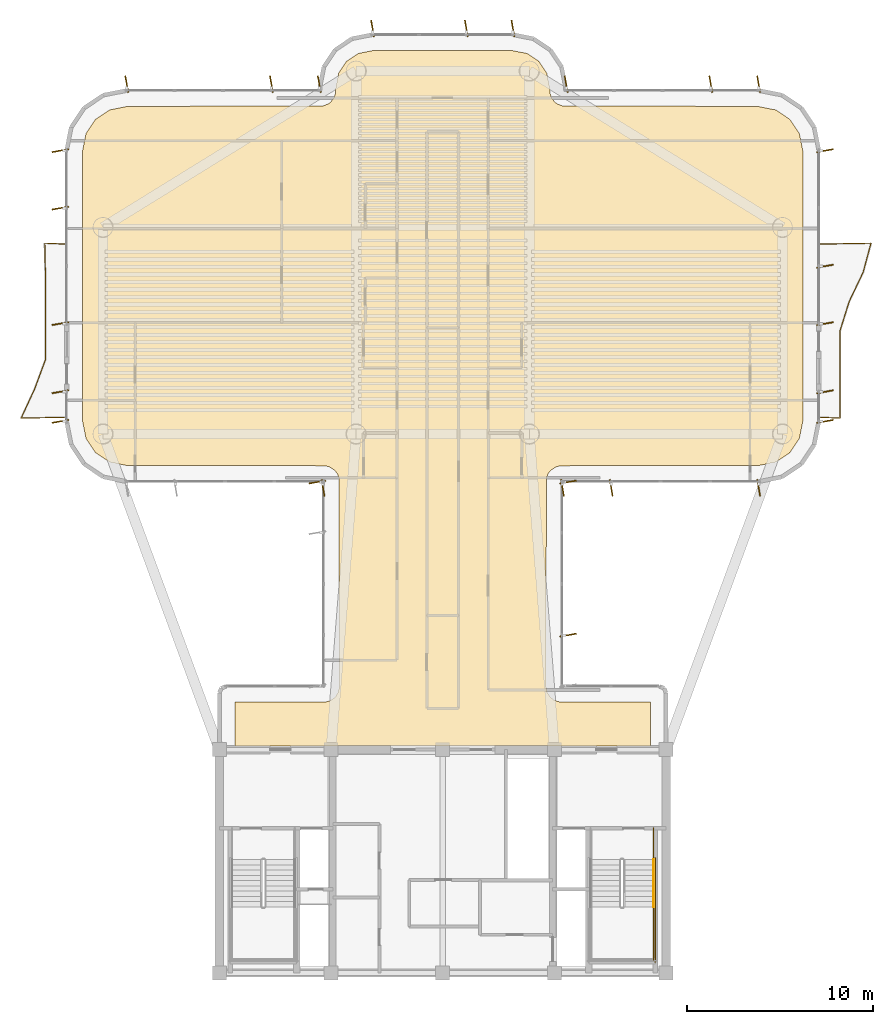
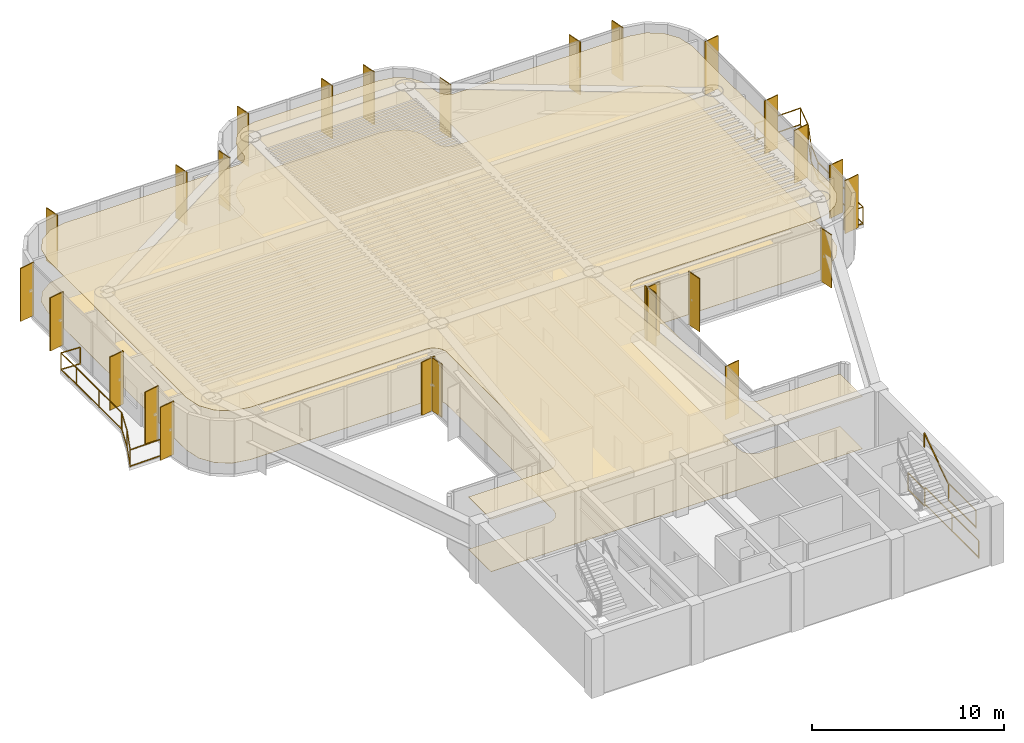
# One storey, part 13 of 13: 26 shading devices, 6 railings, 2 coverings.
"""IFC4 building model written with IfcOpenShell, lengths in metres."""

from ifc_helpers import new_model, si_unit, direction, frame, origin, origin_2d, place, context, subcontext, project, spatial, polyline, rectangle, outline, extrude, source, transform, mapped, material, layer, layer_set, material_profile, profile_set, type_object, element, save


model = new_model("IFC4")

# Units and contexts
model_context = context("Model", 3, precision=1e-05, world=origin(), true_north=direction((0.0, 1.0)))
body_context = subcontext(model_context, "Body", "Model", "MODEL_VIEW")
ifc_project = project(units=[si_unit("LENGTHUNIT", "METRE"), si_unit("AREAUNIT", "SQUARE_METRE"), si_unit("VOLUMEUNIT", "CUBIC_METRE"), si_unit("PLANEANGLEUNIT", "RADIAN"), si_unit("MASSUNIT", "GRAM", prefix="KILO")], contexts=[model_context])

# Site, building, storey
site_placement = place(None, origin())
site = spatial("IfcSite", under=ifc_project, at=site_placement, CompositionType="ELEMENT")
building_placement = place(site_placement, origin())
building = spatial("IfcBuilding", under=site, at=building_placement, Name="Brelvock Crest Care Tower", CompositionType="ELEMENT")
storey_placement = place(building_placement, frame((0.0, 0.0, 209.340087890625)))
storey = spatial("IfcBuildingStorey", under=building, at=storey_placement, Name="L53", CompositionType="ELEMENT", Elevation=209.340087890625)

# Coverings
ifc_material_1 = material(Name="Mineral Fibre Acoustic Ceiling Tile", Category="gypsum")
ifc_layer_1 = layer(ifc_material_1, 0.02490234375, Name="COV-CLG1")
ifc_layer_set_1 = layer_set([ifc_layer_1], Name="Mineral Fibre Acoustic Ceiling Tile")
covering_type_1 = type_object("IfcCoveringType", Name="COV-CLG1", PredefinedType="CEILING", material=ifc_layer_set_1)
covering_1_placement = place(storey_placement, frame((0.0, 0.0, 3.31689453125)))
element("IfcCovering", 1, at=covering_1_placement, inside=storey, type_object=covering_type_1, Name="L53 Acoustic Suspended Ceiling 1", PredefinedType="CEILING", context=body_context, shape_type="SweptSolid", body=[
    extrude(outline(polyline([(24.85009765625, 18.199951171875), (47.14990234375, 18.199951171875), (47.14990234375, 20.550048828125), (42.316650390625, 20.55419921875), (42.1533203125, 20.586669921875), (41.927734375, 20.693359375), (41.742919921875, 20.86083984375), (41.61474609375, 21.07470703125), (41.550048828125, 21.39990234375), (41.56640625, 32.56591796875), (41.650390625, 32.80078125), (41.799072265625, 33.0009765625), (42.07470703125, 33.185302734375), (42.316650390625, 33.245849609375), (52.916259765625, 33.25), (53.892822265625, 33.4443359375), (54.64990234375, 33.9501953125), (55.15576171875, 34.70703125), (55.35009765625, 35.68359375), (55.35009765625, 50.1162109375), (55.15576171875, 51.093017578125), (54.64990234375, 51.849853515625), (53.892822265625, 52.355712890625), (52.916259765625, 52.550048828125), (42.43408203125, 52.56640625), (42.127685546875, 52.693359375), (41.9990234375, 52.799072265625), (41.850341796875, 52.999267578125), (41.766357421875, 53.234130859375), (41.75, 53.516357421875), (41.586181640625, 54.33984375), (41.1669921875, 54.967041015625), (40.539794921875, 55.38623046875), (39.71630859375, 55.550048828125), (32.28369140625, 55.550048828125), (31.460205078125, 55.38623046875), (30.8330078125, 54.967041015625), (30.413818359375, 54.33984375), (30.25, 53.516357421875), (30.233642578125, 53.234130859375), (30.149658203125, 52.999267578125), (30.0009765625, 52.799072265625), (29.872314453125, 52.693359375), (29.56591796875, 52.56640625), (19.083740234375, 52.550048828125), (18.107177734375, 52.355712890625), (17.35009765625, 51.849853515625), (16.84423828125, 51.093017578125), (16.64990234375, 50.1162109375), (16.64990234375, 35.68359375), (16.84423828125, 34.70703125), (17.35009765625, 33.9501953125), (18.107177734375, 33.4443359375), (19.083740234375, 33.25), (29.683349609375, 33.245849609375), (29.92529296875, 33.185302734375), (30.200927734375, 33.0009765625), (30.349609375, 32.80078125), (30.43359375, 32.56591796875), (30.449951171875, 21.39990234375), (30.38525390625, 21.07470703125), (30.257080078125, 20.86083984375), (30.13916015625, 20.742919921875), (29.92529296875, 20.61474609375), (29.683349609375, 20.55419921875), (24.85009765625, 20.550048828125), (24.85009765625, 18.199951171875)])), origin(), (0.0, 0.0, 1.0), 0.02490234375),
])
ifc_material_2 = material(Name="Slip-Resistant Acoustic Vinyl Flooring", Category="finish")
ifc_layer_2 = layer(ifc_material_2, 0.014892578125, Name="COV-FLR1")
ifc_layer_set_2 = layer_set([ifc_layer_2], Name="Slip-Resistant Acoustic Vinyl Flooring")
covering_type_2 = type_object("IfcCoveringType", Name="COV-FLR1", PredefinedType="FLOORING", material=ifc_layer_set_2)
covering_2_placement = place(storey_placement, origin())
element("IfcCovering", 2, at=covering_2_placement, inside=storey, type_object=covering_type_2, Name="L53 Slip-Resistant Acoustic Flooring 1", PredefinedType="FLOORING", context=body_context, shape_type="SweptSolid", body=[
    extrude(outline(polyline([(24.85009765625, 18.199951171875), (47.14990234375, 18.199951171875), (47.14990234375, 20.550048828125), (42.316650390625, 20.55419921875), (42.1533203125, 20.586669921875), (41.927734375, 20.693359375), (41.742919921875, 20.86083984375), (41.61474609375, 21.07470703125), (41.550048828125, 21.39990234375), (41.56640625, 32.56591796875), (41.650390625, 32.80078125), (41.799072265625, 33.0009765625), (42.07470703125, 33.185302734375), (42.316650390625, 33.245849609375), (52.916259765625, 33.25), (53.892822265625, 33.4443359375), (54.64990234375, 33.9501953125), (55.15576171875, 34.70703125), (55.35009765625, 35.68359375), (55.35009765625, 50.1162109375), (55.15576171875, 51.093017578125), (54.64990234375, 51.849853515625), (53.892822265625, 52.355712890625), (52.916259765625, 52.550048828125), (42.43408203125, 52.56640625), (42.127685546875, 52.693359375), (41.9990234375, 52.799072265625), (41.850341796875, 52.999267578125), (41.766357421875, 53.234130859375), (41.75, 53.516357421875), (41.586181640625, 54.33984375), (41.1669921875, 54.967041015625), (40.539794921875, 55.38623046875), (39.71630859375, 55.550048828125), (32.28369140625, 55.550048828125), (31.460205078125, 55.38623046875), (30.8330078125, 54.967041015625), (30.413818359375, 54.33984375), (30.25, 53.516357421875), (30.233642578125, 53.234130859375), (30.149658203125, 52.999267578125), (30.0009765625, 52.799072265625), (29.872314453125, 52.693359375), (29.56591796875, 52.56640625), (19.083740234375, 52.550048828125), (18.107177734375, 52.355712890625), (17.35009765625, 51.849853515625), (16.84423828125, 51.093017578125), (16.64990234375, 50.1162109375), (16.64990234375, 35.68359375), (16.84423828125, 34.70703125), (17.35009765625, 33.9501953125), (18.107177734375, 33.4443359375), (19.083740234375, 33.25), (29.683349609375, 33.245849609375), (29.92529296875, 33.185302734375), (30.200927734375, 33.0009765625), (30.349609375, 32.80078125), (30.43359375, 32.56591796875), (30.449951171875, 21.39990234375), (30.38525390625, 21.07470703125), (30.257080078125, 20.86083984375), (30.13916015625, 20.742919921875), (29.92529296875, 20.61474609375), (29.683349609375, 20.55419921875), (24.85009765625, 20.550048828125), (24.85009765625, 18.199951171875)])), origin(), (0.0, 0.0, 1.0), 0.014892578125),
])

# Railings
ifc_material_3 = material(Name="Dark Glass Double Glazed Low-E", Category="glass")
ifc_layer_3 = layer(ifc_material_3, 0.06005859375, Name="RL-BAL1")
ifc_layer_set_3 = layer_set([ifc_layer_3], Name="Dark Glass Double Glazed Low-E")
railing_type_1 = type_object("IfcRailingType", Name="RL-BAL1", PredefinedType="BALUSTRADE", material=ifc_layer_set_3)
railing_1_placement = place(storey_placement, frame((15.760009765625, 35.85009765625, 0.00390625)))
element("IfcRailing", 3, at=railing_1_placement, inside=storey, type_object=railing_type_1, Name="L53 Safety Balustrade WB-W", PredefinedType="BALUSTRADE", context=body_context, shape_type="SweptSolid", body=[
    extrude(rectangle(XDim=0.048095703125, YDim=0.048095703125, at=origin_2d()), frame((-0.001953125, 0.0, 1.09619140625), z_axis=(-0.999783452903, -0.020809788592, 0.0), x_axis=(0.020809788592, -0.999783452903, 0.0)), (0.0, 0.0, 1.0), 2.401123046875),
    extrude(rectangle(XDim=0.048095703125, YDim=0.048095703125, at=origin_2d()), frame((-0.001953125, 0.0, 0.054931640625), z_axis=(-0.999783452903, -0.020809788592, 0.0), x_axis=(0.020809788592, -0.999783452903, 0.0)), (0.0, 0.0, 1.0), 2.401123046875),
    extrude(rectangle(XDim=0.048095703125, YDim=0.048095703125, at=origin_2d()), frame((-2.40380859375, -0.04833984375, 1.09619140625), z_axis=(0.42037583984, 0.907350072066, 0.0), x_axis=(-0.907350072066, 0.42037583984, 0.0)), (0.0, 0.0, 1.0), 1.72265625),
    extrude(rectangle(XDim=0.048095703125, YDim=0.048095703125, at=origin_2d()), frame((-2.40380859375, -0.04833984375, 0.054931640625), z_axis=(0.42037583984, 0.907350072066, 0.0), x_axis=(-0.907350072066, 0.42037583984, 0.0)), (0.0, 0.0, 1.0), 1.72265625),
    extrude(rectangle(XDim=0.048095703125, YDim=0.048095703125, at=origin_2d()), frame((-1.677978515625, 1.5185546875, 1.09619140625), z_axis=(0.346457206502, 0.938065778111, 0.0), x_axis=(-0.938065778111, 0.346457206502, 0.0)), (0.0, 0.0, 1.0), 1.666015625),
    extrude(rectangle(XDim=0.048095703125, YDim=0.048095703125, at=origin_2d()), frame((-1.677978515625, 1.5185546875, 0.054931640625), z_axis=(0.346457206502, 0.938065778111, 0.0), x_axis=(-0.938065778111, 0.346457206502, 0.0)), (0.0, 0.0, 1.0), 1.666015625),
    extrude(rectangle(XDim=0.048095703125, YDim=0.048095703125, at=origin_2d()), frame((-1.10009765625, 3.085205078125, 1.09619140625), z_axis=(0.0, 1.0, 0.0), x_axis=(-1.0, 0.0, 0.0)), (0.0, 0.0, 1.0), 4.696044921875),
    extrude(rectangle(XDim=0.048095703125, YDim=0.048095703125, at=origin_2d()), frame((-1.10009765625, 3.085205078125, 0.054931640625), z_axis=(0.0, 1.0, 0.0), x_axis=(-1.0, 0.0, 0.0)), (0.0, 0.0, 1.0), 4.696044921875),
    extrude(rectangle(XDim=0.048095703125, YDim=0.048095703125, at=origin_2d()), frame((-1.10009765625, 7.78515625, 1.09619140625), z_axis=(-0.022123304576, 0.999755249746, 0.0), x_axis=(-0.999755249746, -0.022123304576, 0.0)), (0.0, 0.0, 1.0), 1.56298828125),
    extrude(rectangle(XDim=0.048095703125, YDim=0.048095703125, at=origin_2d()), frame((-1.10009765625, 7.78515625, 0.054931640625), z_axis=(-0.022123304576, 0.999755249746, 0.0), x_axis=(-0.999755249746, -0.022123304576, 0.0)), (0.0, 0.0, 1.0), 1.56298828125),
    extrude(rectangle(XDim=0.048095703125, YDim=0.048095703125, at=origin_2d()), frame((-1.1328125, 9.349853515625, 1.09619140625), z_axis=(0.99902879157, -0.044062156255, 0.0), x_axis=(0.044062156255, 0.99902879157, 0.0)), (0.0, 0.0, 1.0), 1.1318359375),
    extrude(rectangle(XDim=0.048095703125, YDim=0.048095703125, at=origin_2d()), frame((-1.1328125, 9.349853515625, 0.054931640625), z_axis=(0.99902879157, -0.044062156255, 0.0), x_axis=(0.044062156255, 0.99902879157, 0.0)), (0.0, 0.0, 1.0), 1.1318359375),
    extrude(rectangle(XDim=0.0419921875, YDim=0.0419921875, at=origin_2d()), origin(), (0.0, 0.0, 1.0), 1.070068359375),
    extrude(rectangle(XDim=0.0419921875, YDim=0.0419921875, at=origin_2d()), frame((-2.404541015625, -0.050048828125, 0.0)), (0.0, 0.0, 1.0), 1.070068359375),
    extrude(rectangle(XDim=0.0419921875, YDim=0.0419921875, at=origin_2d()), frame((-1.6787109375, 1.5166015625, 0.0)), (0.0, 0.0, 1.0), 1.070068359375),
    extrude(rectangle(XDim=0.0419921875, YDim=0.0419921875, at=origin_2d()), frame((-1.10009765625, 3.083251953125, 0.0)), (0.0, 0.0, 1.0), 1.070068359375),
    extrude(rectangle(XDim=0.0419921875, YDim=0.0419921875, at=origin_2d()), frame((-1.10009765625, 5.43310546875, 0.0)), (0.0, 0.0, 1.0), 1.070068359375),
    extrude(rectangle(XDim=0.0419921875, YDim=0.0419921875, at=origin_2d()), frame((-1.10009765625, 7.783203125, 0.0)), (0.0, 0.0, 1.0), 1.070068359375),
    extrude(rectangle(XDim=0.0419921875, YDim=0.0419921875, at=origin_2d()), frame((-1.134765625, 9.349853515625, 0.0)), (0.0, 0.0, 1.0), 1.070068359375),
    extrude(rectangle(XDim=0.0419921875, YDim=0.0419921875, at=origin_2d()), frame((0.0, 9.2998046875, 0.0)), (0.0, 0.0, 1.0), 1.070068359375),
])
railing_2_placement = place(storey_placement, frame((56.239990234375, 35.85009765625, 0.00390625)))
element("IfcRailing", 4, at=railing_2_placement, inside=storey, type_object=railing_type_1, Name="L53 Safety Balustrade WB-E", PredefinedType="BALUSTRADE", context=body_context, shape_type="SweptSolid", body=[
    extrude(rectangle(XDim=0.048095703125, YDim=0.048095703125, at=origin_2d()), frame((0.001953125, 0.0, 1.09619140625), z_axis=(0.998966710972, -0.045447886318, 0.0), x_axis=(0.045447886318, 0.998966710972, 0.0)), (0.0, 0.0, 1.0), 1.09716796875),
    extrude(rectangle(XDim=0.048095703125, YDim=0.048095703125, at=origin_2d()), frame((0.001953125, 0.0, 0.054931640625), z_axis=(0.998966710972, -0.045447886318, 0.0), x_axis=(0.045447886318, 0.998966710972, 0.0)), (0.0, 0.0, 1.0), 1.09716796875),
    extrude(rectangle(XDim=0.048095703125, YDim=0.048095703125, at=origin_2d()), frame((1.10009765625, -0.048095703125, 1.09619140625), z_axis=(0.0, 1.0, 0.0), x_axis=(-1.0, 0.0, 0.0)), (0.0, 0.0, 1.0), 4.696044921875),
    extrude(rectangle(XDim=0.048095703125, YDim=0.048095703125, at=origin_2d()), frame((1.10009765625, -0.048095703125, 0.054931640625), z_axis=(0.0, 1.0, 0.0), x_axis=(-1.0, 0.0, 0.0)), (0.0, 0.0, 1.0), 4.696044921875),
    extrude(rectangle(XDim=0.048095703125, YDim=0.048095703125, at=origin_2d()), frame((1.1005859375, 4.65185546875, 1.09619140625), z_axis=(0.299045409221, 0.954238881635, 0.0), x_axis=(-0.954238881635, 0.299045409221, 0.0)), (0.0, 0.0, 1.0), 1.6376953125),
    extrude(rectangle(XDim=0.048095703125, YDim=0.048095703125, at=origin_2d()), frame((1.1005859375, 4.65185546875, 0.054931640625), z_axis=(0.299045409221, 0.954238881635, 0.0), x_axis=(-0.954238881635, 0.299045409221, 0.0)), (0.0, 0.0, 1.0), 1.6376953125),
    extrude(rectangle(XDim=0.048095703125, YDim=0.048095703125, at=origin_2d()), frame((1.592041015625, 6.21826171875, 1.09619140625), z_axis=(0.431341072298, 0.902188937723, 0.0), x_axis=(-0.902188937723, 0.431341072298, 0.0)), (0.0, 0.0, 1.0), 1.732421875),
    extrude(rectangle(XDim=0.048095703125, YDim=0.048095703125, at=origin_2d()), frame((1.592041015625, 6.21826171875, 0.054931640625), z_axis=(0.431341072298, 0.902188937723, 0.0), x_axis=(-0.902188937723, 0.431341072298, 0.0)), (0.0, 0.0, 1.0), 1.732421875),
    extrude(rectangle(XDim=0.048095703125, YDim=0.048095703125, at=origin_2d()), frame((2.340576171875, 7.78515625, 1.09619140625), z_axis=(0.26044287182, 0.96548925966, 0.0), x_axis=(-0.96548925966, 0.26044287182, 0.0)), (0.0, 0.0, 1.0), 1.61865234375),
    extrude(rectangle(XDim=0.048095703125, YDim=0.048095703125, at=origin_2d()), frame((2.340576171875, 7.78515625, 0.054931640625), z_axis=(0.26044287182, 0.96548925966, 0.0), x_axis=(-0.96548925966, 0.26044287182, 0.0)), (0.0, 0.0, 1.0), 1.61865234375),
    extrude(rectangle(XDim=0.048095703125, YDim=0.048095703125, at=origin_2d()), frame((2.7607421875, 9.349853515625, 1.09619140625), z_axis=(-0.999835946701, -0.018112970049, 0.0), x_axis=(0.018112970049, -0.999835946701, 0.0)), (0.0, 0.0, 1.0), 2.759033203125),
    extrude(rectangle(XDim=0.048095703125, YDim=0.048095703125, at=origin_2d()), frame((2.7607421875, 9.349853515625, 0.054931640625), z_axis=(-0.999835946701, -0.018112970049, 0.0), x_axis=(0.018112970049, -0.999835946701, 0.0)), (0.0, 0.0, 1.0), 2.759033203125),
    extrude(rectangle(XDim=0.0419921875, YDim=0.0419921875, at=origin_2d()), origin(), (0.0, 0.0, 1.0), 1.070068359375),
    extrude(rectangle(XDim=0.0419921875, YDim=0.0419921875, at=origin_2d()), frame((1.10009765625, -0.050048828125, 0.0)), (0.0, 0.0, 1.0), 1.070068359375),
    extrude(rectangle(XDim=0.0419921875, YDim=0.0419921875, at=origin_2d()), frame((1.10009765625, 2.2998046875, 0.0)), (0.0, 0.0, 1.0), 1.070068359375),
    extrude(rectangle(XDim=0.0419921875, YDim=0.0419921875, at=origin_2d()), frame((1.10009765625, 4.64990234375, 0.0)), (0.0, 0.0, 1.0), 1.070068359375),
    extrude(rectangle(XDim=0.0419921875, YDim=0.0419921875, at=origin_2d()), frame((1.591064453125, 6.216552734375, 0.0)), (0.0, 0.0, 1.0), 1.070068359375),
    extrude(rectangle(XDim=0.0419921875, YDim=0.0419921875, at=origin_2d()), frame((2.340087890625, 7.783203125, 0.0)), (0.0, 0.0, 1.0), 1.070068359375),
    extrude(rectangle(XDim=0.0419921875, YDim=0.0419921875, at=origin_2d()), frame((2.7626953125, 9.349853515625, 0.0)), (0.0, 0.0, 1.0), 1.070068359375),
    extrude(rectangle(XDim=0.0419921875, YDim=0.0419921875, at=origin_2d()), frame((0.0, 9.2998046875, 0.0)), (0.0, 0.0, 1.0), 1.070068359375),
])
ifc_material_4 = material(Name="Steel Grade 350", Category="steel")
ifc_layer_4 = layer(ifc_material_4, 0.050048828125, Name="RL-STG1")
ifc_layer_set_4 = layer_set([ifc_layer_4], Name="Steel Grade 350")
railing_type_2 = type_object("IfcRailingType", Name="RL-STG1", PredefinedType="GUARDRAIL", material=ifc_layer_set_4)
railing_3_placement = place(storey_placement, frame((47.320068359375, 9.56005859375, 1.889892578125)))
element("IfcRailing", 5, at=railing_3_placement, inside=storey, type_object=railing_type_2, Name="L53 ST-2 stair guard 4", PredefinedType="GUARDRAIL", context=body_context, shape_type="SweptSolid", body=[
    extrude(rectangle(XDim=0.048095703125, YDim=0.048095703125, at=origin_2d()), frame((0.0, -0.001953125, 1.11572265625), z_axis=(0.0, -1.0, 0.0), x_axis=(1.0, 0.0, 0.0)), (0.0, 0.0, 1.0), 2.856201171875),
    extrude(rectangle(XDim=0.048095703125, YDim=0.048095703125, at=origin_2d()), frame((0.0, -0.001953125, 0.054931640625), z_axis=(0.0, -1.0, 0.0), x_axis=(1.0, 0.0, 0.0)), (0.0, 0.0, 1.0), 2.856201171875),
    extrude(rectangle(XDim=0.0419921875, YDim=0.0419921875, at=origin_2d()), origin(), (0.0, 0.0, 1.0), 1.08984375),
    extrude(rectangle(XDim=0.0419921875, YDim=0.0419921875, at=origin_2d()), frame((0.0, -2.860107421875, 0.0)), (0.0, 0.0, 1.0), 1.08984375),
])
railing_4_placement = place(storey_placement, frame((47.320068359375, 13.780029296875, 0.0)))
element("IfcRailing", 6, at=railing_4_placement, inside=storey, type_object=railing_type_2, Name="L53 ST-2 stair guard 9", PredefinedType="GUARDRAIL", context=body_context, shape_type="SweptSolid", body=[
    extrude(rectangle(XDim=0.048095703125, YDim=0.048095703125, at=origin_2d()), frame((0.0, -0.001953125, 1.11572265625), z_axis=(0.0, -1.0, 0.0), x_axis=(1.0, 0.0, 0.0)), (0.0, 0.0, 1.0), 1.696044921875),
    extrude(rectangle(XDim=0.048095703125, YDim=0.048095703125, at=origin_2d()), frame((0.0, -0.001953125, 0.054931640625), z_axis=(0.0, -1.0, 0.0), x_axis=(1.0, 0.0, 0.0)), (0.0, 0.0, 1.0), 1.696044921875),
    extrude(rectangle(XDim=0.0419921875, YDim=0.0419921875, at=origin_2d()), origin(), (0.0, 0.0, 1.0), 1.08984375),
    extrude(rectangle(XDim=0.0419921875, YDim=0.0419921875, at=origin_2d()), frame((0.0, -1.699951171875, 0.0)), (0.0, 0.0, 1.0), 1.08984375),
])
railing_5_placement = place(storey_placement, frame((47.419921875, 12.179931640625, 0.0)))
element("IfcRailing", 7, at=railing_5_placement, inside=storey, type_object=railing_type_2, Name="L53 ST-2 stair guard 11", PredefinedType="GUARDRAIL", context=body_context, shape_type="SweptSolid", body=[
    extrude(rectangle(XDim=0.048095703125, YDim=0.048095703125, at=origin_2d()), frame((0.0, -0.001953125, 1.11572265625), z_axis=(0.0, -1.0, 0.0), x_axis=(1.0, 0.0, 0.0)), (0.0, 0.0, 1.0), 5.575927734375),
    extrude(rectangle(XDim=0.048095703125, YDim=0.048095703125, at=origin_2d()), frame((0.0, -0.001953125, 0.054931640625), z_axis=(0.0, -1.0, 0.0), x_axis=(1.0, 0.0, 0.0)), (0.0, 0.0, 1.0), 5.575927734375),
    extrude(rectangle(XDim=0.0419921875, YDim=0.0419921875, at=origin_2d()), origin(), (0.0, 0.0, 1.0), 1.08984375),
    extrude(rectangle(XDim=0.0419921875, YDim=0.0419921875, at=origin_2d()), frame((0.0, -2.7900390625, 0.0)), (0.0, 0.0, 1.0), 1.08984375),
    extrude(rectangle(XDim=0.0419921875, YDim=0.0419921875, at=origin_2d()), frame((0.0, -5.579833984375, 0.0)), (0.0, 0.0, 1.0), 1.08984375),
])
ifc_layer_5 = layer(ifc_material_4, 0.048095703125, Name="RL-STH1")
ifc_layer_set_5 = layer_set([ifc_layer_5], Name="Steel Grade 350")
railing_type_3 = type_object("IfcRailingType", Name="RL-STH1", PredefinedType="HANDRAIL", material=ifc_layer_set_5)
railing_6_placement = place(storey_placement, frame((47.320068359375, 9.56005859375, 2.078857421875)))
element("IfcRailing", 8, at=railing_6_placement, inside=storey, type_object=railing_type_3, Name="L53 ST-2 stair handrail 2", PredefinedType="HANDRAIL", context=body_context, shape_type="SweptSolid", body=[
    extrude(rectangle(XDim=0.048095703125, YDim=0.048095703125, at=origin_2d()), frame((0.0, 0.001708984375, 0.876953125), z_axis=(0.0, 0.82882447046, 0.559508710537), x_axis=(-1.0, 0.0, 0.0)), (0.0, 0.0, 1.0), 3.036376953125),
    extrude(rectangle(XDim=0.0419921875, YDim=0.0419921875, at=origin_2d()), origin(), (0.0, 0.0, 1.0), 0.849853515625),
    extrude(rectangle(XDim=0.0419921875, YDim=0.0419921875, at=origin_2d()), frame((0.0, 2.52001953125, 1.701171875)), (0.0, 0.0, 1.0), 0.849853515625),
])

# Shading devices
ifc_material_5 = material(Name="Aluminium 6063-T6", Category="aluminium")
ifc_material_profile = material_profile(ifc_material_5, rectangle(XDim=0.054931640625, YDim=0.89990234375, at=origin_2d()), Name="FIN55x900")
ifc_profile_set = profile_set([ifc_material_profile], Name="Aluminium 6063-T6")
shading_device_type = type_object("IfcShadingDeviceType", Name="SHD-FIN1", PredefinedType="USERDEFINED", material=ifc_profile_set)
shared_shape = source(origin(), body_context, "Body", "SweptSolid", [
    extrude(rectangle(XDim=0.054931640625, YDim=0.89990234375, at=origin_2d()), origin(), (0.0, 0.0, 1.0), 3.371826171875),
])
for number, where, z_axis, x_axis, name in (
    (9, (29.260009765625, 32.3701171875, 0.0), (0.0, 0.0, 1.0), (-0.173648177667, 0.984807753012, 0.0), "L53 Vertical Sunshade Fin E11-05"),
    (10, (29.570068359375, 32.06005859375, 0.0), (0.0, 0.0, 1.0), (-0.984807753012, -0.173648177667, 0.0), "L53 Vertical Sunshade Fin E12-01"),
    (11, (15.4599609375, 35.6298828125, 0.0), (0.0, 0.0, 1.0), (-0.173648177667, 0.984807753012, 0.0), "L53 Vertical Sunshade Fin E17A-01"),
    (12, (15.4599609375, 37.219970703125, 0.0), (0.0, 0.0, 1.0), (-0.173648177667, 0.984807753012, 0.0), "L53 Vertical Sunshade Fin E17A-02"),
    (13, (15.4599609375, 40.8798828125, 0.0), (0.0, 0.0, 1.0), (-0.173648177667, 0.984807753012, 0.0), "L53 Vertical Sunshade Fin E17B-01"),
    (14, (15.4599609375, 47.083251953125, 0.0), (0.0, 0.0, 1.0), (-0.173648177667, 0.984807753012, 0.0), "L53 Vertical Sunshade Fin E17B-03"),
    (15, (15.4599609375, 50.169921875, 0.0), (0.0, 0.0, 1.0), (-0.173648177667, 0.984807753012, 0.0), "L53 Vertical Sunshade Fin E17B-04"),
    (16, (19.030029296875, 53.739990234375, 0.0), (0.0, 0.0, 1.0), (0.984807753012, 0.173648177667, 0.0), "L53 Vertical Sunshade Fin E22-01"),
    (17, (26.800048828125, 53.739990234375, 0.0), (0.0, 0.0, 1.0), (0.984807753012, 0.173648177667, 0.0), "L53 Vertical Sunshade Fin E22-04"),
    (18, (29.3701171875, 53.739990234375, 0.0), (0.0, 0.0, 1.0), (0.984807753012, 0.173648177667, 0.0), "L53 Vertical Sunshade Fin E22-05"),
    (19, (32.22998046875, 56.739990234375, 0.0), (0.0, 0.0, 1.0), (0.984807753012, 0.173648177667, 0.0), "L53 Vertical Sunshade Fin E28-01"),
    (20, (37.2666015625, 56.739990234375, 0.0), (0.0, 0.0, 1.0), (0.984807753012, 0.173648177667, 0.0), "L53 Vertical Sunshade Fin E28-03"),
    (21, (39.77001953125, 56.739990234375, 0.0), (0.0, 0.0, 1.0), (0.984807753012, 0.173648177667, 0.0), "L53 Vertical Sunshade Fin E28-04"),
    (22, (42.6298828125, 53.739990234375, 0.0), (0.0, 0.0, 1.0), (0.984807753012, 0.173648177667, 0.0), "L53 Vertical Sunshade Fin E34-01"),
    (23, (50.39990234375, 53.739990234375, 0.0), (0.0, 0.0, 1.0), (0.984807753012, 0.173648177667, 0.0), "L53 Vertical Sunshade Fin E34-04"),
    (24, (52.969970703125, 53.739990234375, 0.0), (0.0, 0.0, 1.0), (0.984807753012, 0.173648177667, 0.0), "L53 Vertical Sunshade Fin E34-05"),
    (25, (56.5400390625, 50.169921875, 0.0), (0.0, 0.0, 1.0), (0.173648177667, -0.984807753012, 0.0), "L53 Vertical Sunshade Fin E39A-01"),
    (26, (56.5400390625, 43.966796875, 0.0), (0.0, 0.0, 1.0), (0.173648177667, -0.984807753012, 0.0), "L53 Vertical Sunshade Fin E39A-03"),
    (27, (56.5400390625, 40.8798828125, 0.0), (0.0, 0.0, 1.0), (0.173648177667, -0.984807753012, 0.0), "L53 Vertical Sunshade Fin E39A-04"),
    (28, (56.5400390625, 37.219970703125, 0.0), (0.0, 0.0, 1.0), (0.173648177667, -0.984807753012, 0.0), "L53 Vertical Sunshade Fin E39B-01"),
    (29, (56.5400390625, 35.6298828125, 0.0), (0.0, 0.0, 1.0), (0.173648177667, -0.984807753012, 0.0), "L53 Vertical Sunshade Fin E39B-02"),
    (30, (52.969970703125, 32.06005859375, 0.0), (0.0, 0.0, 1.0), (-0.984807753012, -0.173648177667, 0.0), "L53 Vertical Sunshade Fin E44-01"),
    (31, (45.050048828125, 32.06005859375, 0.0), (0.0, 0.0, 1.0), (-0.984807753012, -0.173648177667, 0.0), "L53 Vertical Sunshade Fin E44-04"),
    (32, (42.429931640625, 32.06005859375, 0.0), (0.0, 0.0, 1.0), (-0.984807753012, -0.173648177667, 0.0), "L53 Vertical Sunshade Fin E44-05"),
    (33, (42.739990234375, 32.3701171875, 0.0), (0.0, 0.0, 1.0), (0.173648177667, -0.984807753012, 0.0), "L53 Vertical Sunshade Fin E45-01"),
    (34, (42.739990234375, 24.14990234375, 0.0), (0.0, 0.0, 1.0), (0.173648177667, -0.984807753012, 0.0), "L53 Vertical Sunshade Fin E45-04"),
):
    element("IfcShadingDevice", number, at=place(storey_placement, frame(where, z_axis=z_axis, x_axis=x_axis)), inside=storey, type_object=shading_device_type, Name=name, ObjectType="FIN", PredefinedType="USERDEFINED", context=body_context, shape_type="MappedRepresentation", body=[
        mapped(shared_shape, transform((0.0, 0.0, 0.0), x_axis=(1.0, 0.0, 0.0), y_axis=(0.0, 1.0, 0.0), z_axis=(0.0, 0.0, 1.0), scale=1.0)),
    ])

save(model, "model.ifc")
